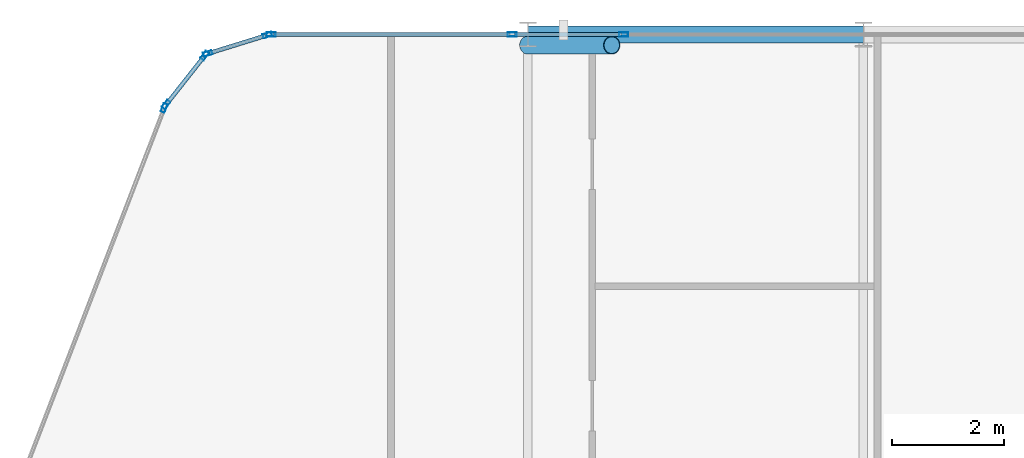
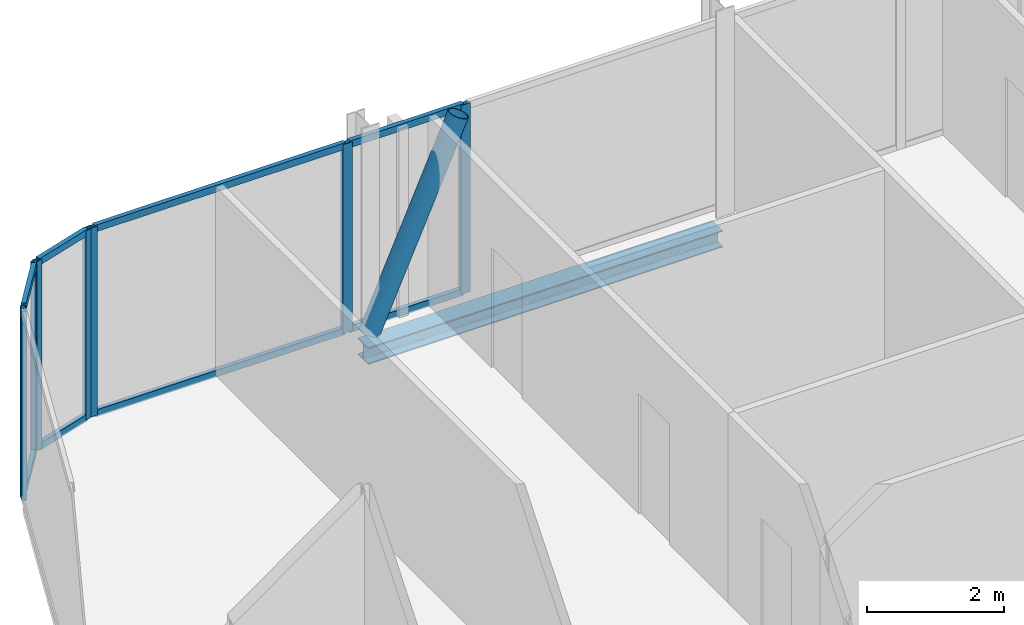
# One storey, part 18 of 29: 17 members, 1 beam, 5 elements without a shape of their own.
"""IFC4 building model written with IfcOpenShell, lengths in metres."""

from ifc_helpers import new_model, si_unit, direction, frame, origin, origin_2d, place, context, subcontext, project, spatial, hollow_rectangle, hollow_circle, i_section, extrude, material, layer, layer_set, material_profile, profile_set, type_object, element, aggregate, save


model = new_model("IFC4")

# Units and contexts
model_context = context("Model", 3, precision=1e-05, world=origin(), true_north=direction((0.0, 1.0)))
body_context = subcontext(model_context, "Body", "Model", "MODEL_VIEW")
ifc_project = project(units=[si_unit("LENGTHUNIT", "METRE"), si_unit("AREAUNIT", "SQUARE_METRE"), si_unit("VOLUMEUNIT", "CUBIC_METRE"), si_unit("PLANEANGLEUNIT", "RADIAN"), si_unit("MASSUNIT", "GRAM", prefix="KILO")], contexts=[model_context])

# Site, building, storey
site_placement = place(None, origin())
site = spatial("IfcSite", under=ifc_project, at=site_placement, CompositionType="ELEMENT")
building_placement = place(site_placement, origin())
building = spatial("IfcBuilding", under=site, at=building_placement, Name="Keshet Zoharim Tower", CompositionType="ELEMENT")
storey_placement = place(building_placement, frame((0.0, 0.0, 180.199951171875)))
storey = spatial("IfcBuildingStorey", under=building, at=storey_placement, Name="L44", CompositionType="ELEMENT", Elevation=180.199951171875)

# Beam
ifc_material_1 = material(Name="Steel S355", Category="steel")
ifc_material_profile_1 = material_profile(ifc_material_1, i_section(OverallWidth=0.300048828125, OverallDepth=0.300048828125, WebThickness=0.010986328125, FlangeThickness=0.01904296875, FilletRadius=0.027099609375, at=origin_2d()), Name="HEB300")
ifc_profile_set_1 = profile_set([ifc_material_profile_1], Name="Steel S355")
beam_type = type_object("IfcBeamType", Name="BM-PRI-HB300", PredefinedType="BEAM", material=ifc_profile_set_1)
beam_placement = place(storey_placement, frame((21.0, 53.89990234375, -0.4599609375), z_axis=(1.0, 0.0, 0.0), x_axis=(0.0, 1.0, 0.0)))
element("IfcBeam", 1, at=beam_placement, inside=storey, type_object=beam_type, Name="L44 Primary Girder X-019", PredefinedType="BEAM", context=body_context, shape_type="SweptSolid", body=[
    extrude(i_section(OverallWidth=0.300048828125, OverallDepth=0.300048828125, WebThickness=0.010986328125, FlangeThickness=0.01904296875, FilletRadius=0.027099609375, at=origin_2d()), origin(), (0.0, 0.0, 1.0), 6.0),
])

# Curtain wall, member
ifc_material_2 = material(Name="Aluminium 6063-T6", Category="aluminium")
ifc_layer = layer(ifc_material_2, 0.139892578125)
ifc_layer_set = layer_set([ifc_layer], Name="Aluminium 6063-T6")
curtain_wall_type = type_object("IfcCurtainWallType", Name="CW-SYS-05", PredefinedType="NOTDEFINED", material=ifc_layer_set)
curtain_wall_1_placement = place(storey_placement, origin())
curtain_wall_1 = element("IfcCurtainWall", 2, at=curtain_wall_1_placement, inside=storey, type_object=curtain_wall_type, Name="L44 Unitised Curtain Wall 13", PredefinedType="NOTDEFINED")
ifc_material_profile_2 = material_profile(ifc_material_2, hollow_rectangle(XDim=0.074951171875, YDim=0.159912109375, WallThickness=0.00390625, at=origin_2d()), Name="MUL-75x160")
ifc_profile_set_2 = profile_set([ifc_material_profile_2], Name="Aluminium 6063-T6")
member_type_1 = type_object("IfcMemberType", Name="CWM-M15", PredefinedType="MULLION", material=ifc_profile_set_2)
member_1_placement = place(storey_placement, frame((14.494384765625, 52.58544921875, 0.0), z_axis=(0.0, 0.0, 1.0), x_axis=(-0.933341404361, 0.358990003907, 0.0)))
member_1 = element("IfcMember", 3, at=member_1_placement, type_object=member_type_1, Name="CW-05 mullion 4", PredefinedType="MULLION", context=body_context, shape_type="SweptSolid", body=[
    extrude(hollow_rectangle(XDim=0.074951171875, YDim=0.159912109375, WallThickness=0.00390625, at=origin_2d()), origin(), (0.0, 0.0, 1.0), 3.380126953125),
])
aggregate(curtain_wall_1, [member_1])

# Curtain wall, members
curtain_wall_2_placement = place(storey_placement, origin())
curtain_wall_2 = element("IfcCurtainWall", 4, at=curtain_wall_2_placement, inside=storey, type_object=curtain_wall_type, Name="L44 Unitised Curtain Wall 14", PredefinedType="NOTDEFINED")
member_2_placement = place(storey_placement, frame((14.528564453125, 52.6455078125, 0.0), z_axis=(0.0, 0.0, 1.0), x_axis=(-0.785292825205, 0.619124525989, 0.0)))
member_2 = element("IfcMember", 5, at=member_2_placement, type_object=member_type_1, Name="CW-05 mullion 1", PredefinedType="MULLION", context=body_context, shape_type="SweptSolid", body=[
    extrude(hollow_rectangle(XDim=0.074951171875, YDim=0.159912109375, WallThickness=0.00390625, at=origin_2d()), origin(), (0.0, 0.0, 1.0), 3.380126953125),
])
member_3_placement = place(storey_placement, frame((15.21923828125, 53.521484375, 0.0), z_axis=(0.0, 0.0, 1.0), x_axis=(-0.785292825205, 0.619124525989, 0.0)))
member_3 = element("IfcMember", 6, at=member_3_placement, type_object=member_type_1, Name="CW-05 mullion 2", PredefinedType="MULLION", context=body_context, shape_type="SweptSolid", body=[
    extrude(hollow_rectangle(XDim=0.074951171875, YDim=0.159912109375, WallThickness=0.00390625, at=origin_2d()), origin(), (0.0, 0.0, 1.0), 3.380126953125),
])

curtain_wall_3_placement = place(storey_placement, origin())
curtain_wall_3 = element("IfcCurtainWall", 7, at=curtain_wall_3_placement, inside=storey, type_object=curtain_wall_type, Name="L44 Unitised Curtain Wall 15", PredefinedType="NOTDEFINED")
member_4_placement = place(storey_placement, frame((15.2744140625, 53.559326171875, 0.0), z_axis=(0.0, 0.0, 1.0), x_axis=(-0.295921857984, 0.955212151288, 0.0)))
member_4 = element("IfcMember", 8, at=member_4_placement, type_object=member_type_1, Name="CW-05 mullion 1", PredefinedType="MULLION", context=body_context, shape_type="SweptSolid", body=[
    extrude(hollow_rectangle(XDim=0.074951171875, YDim=0.159912109375, WallThickness=0.00390625, at=origin_2d()), origin(), (0.0, 0.0, 1.0), 3.380126953125),
])
member_5_placement = place(storey_placement, frame((16.340576171875, 53.8896484375, 0.0), z_axis=(0.0, 0.0, 1.0), x_axis=(-0.295921857984, 0.955212151288, 0.0)))
member_5 = element("IfcMember", 9, at=member_5_placement, type_object=member_type_1, Name="CW-05 mullion 2", PredefinedType="MULLION", context=body_context, shape_type="SweptSolid", body=[
    extrude(hollow_rectangle(XDim=0.074951171875, YDim=0.159912109375, WallThickness=0.00390625, at=origin_2d()), origin(), (0.0, 0.0, 1.0), 3.380126953125),
])

curtain_wall_4_placement = place(storey_placement, origin())
curtain_wall_4 = element("IfcCurtainWall", 10, at=curtain_wall_4_placement, inside=storey, type_object=curtain_wall_type, Name="L44 Unitised Curtain Wall 16", PredefinedType="NOTDEFINED")
member_6_placement = place(storey_placement, frame((16.408935546875, 53.89990234375, 0.0), z_axis=(0.0, 0.0, 1.0), x_axis=(0.0, 1.0, 0.0)))
member_6 = element("IfcMember", 11, at=member_6_placement, type_object=member_type_1, Name="CW-05 mullion 1", PredefinedType="MULLION", context=body_context, shape_type="SweptSolid", body=[
    extrude(hollow_rectangle(XDim=0.074951171875, YDim=0.159912109375, WallThickness=0.00390625, at=origin_2d()), origin(), (0.0, 0.0, 1.0), 3.380126953125),
])
member_7_placement = place(storey_placement, frame((20.717041015625, 53.89990234375, 0.0), z_axis=(0.0, 0.0, 1.0), x_axis=(0.0, 1.0, 0.0)))
member_7 = element("IfcMember", 12, at=member_7_placement, type_object=member_type_1, Name="CW-05 mullion 2", PredefinedType="MULLION", context=body_context, shape_type="SweptSolid", body=[
    extrude(hollow_rectangle(XDim=0.074951171875, YDim=0.159912109375, WallThickness=0.00390625, at=origin_2d()), origin(), (0.0, 0.0, 1.0), 3.380126953125),
])

# Curtain wall, member
curtain_wall_5_placement = place(storey_placement, origin())
curtain_wall_5 = element("IfcCurtainWall", 13, at=curtain_wall_5_placement, inside=storey, type_object=curtain_wall_type, Name="L44 Unitised Curtain Wall 16 Part 2", PredefinedType="NOTDEFINED")
member_8_placement = place(storey_placement, frame((22.712890625, 53.89990234375, 0.0), z_axis=(0.0, 0.0, 1.0), x_axis=(0.0, 1.0, 0.0)))
member_8 = element("IfcMember", 14, at=member_8_placement, type_object=member_type_1, Name="CW-05 mullion 2", PredefinedType="MULLION", context=body_context, shape_type="SweptSolid", body=[
    extrude(hollow_rectangle(XDim=0.074951171875, YDim=0.159912109375, WallThickness=0.00390625, at=origin_2d()), origin(), (0.0, 0.0, 1.0), 3.380126953125),
])

# Member
ifc_material_profile_3 = material_profile(ifc_material_2, hollow_rectangle(XDim=0.074951171875, YDim=0.1201171875, WallThickness=0.00390625, at=origin_2d()), Name="TRN-75x120")
ifc_profile_set_3 = profile_set([ifc_material_profile_3], Name="Aluminium 6063-T6")
member_type_2 = type_object("IfcMemberType", Name="CWT-T12", PredefinedType="USERDEFINED", material=ifc_profile_set_3)
member_9_placement = place(storey_placement, frame((14.55029296875, 52.6728515625, 0.03515625), z_axis=(0.619099165969, 0.78531281837, 0.0), x_axis=(-0.78531281837, 0.619099165969, 0.0)))
member_9 = element("IfcMember", 15, at=member_9_placement, type_object=member_type_2, Name="CW-05 transom 1.1", ObjectType="TRANSOM", PredefinedType="USERDEFINED", context=body_context, shape_type="SweptSolid", body=[
    extrude(hollow_rectangle(XDim=0.074951171875, YDim=0.1201171875, WallThickness=0.00390625, at=origin_2d()), origin(), (0.0, 0.0, 1.0), 1.0458984375),
])

member_10_placement = place(storey_placement, frame((14.55029296875, 52.6728515625, 3.344970703125), z_axis=(0.619099165969, 0.78531281837, 0.0), x_axis=(-0.78531281837, 0.619099165969, 0.0)))
member_10 = element("IfcMember", 16, at=member_10_placement, type_object=member_type_2, Name="CW-05 transom 1.2", ObjectType="TRANSOM", PredefinedType="USERDEFINED", context=body_context, shape_type="SweptSolid", body=[
    extrude(hollow_rectangle(XDim=0.074951171875, YDim=0.1201171875, WallThickness=0.00390625, at=origin_2d()), origin(), (0.0, 0.0, 1.0), 1.0458984375),
])

aggregate(curtain_wall_2, [member_2, member_3, member_9, member_10])

member_11_placement = place(storey_placement, frame((15.307861328125, 53.56982421875, 0.03515625), z_axis=(0.955212093062, 0.295922045933, 0.0), x_axis=(-0.295922045933, 0.955212093062, 0.0)))
member_11 = element("IfcMember", 17, at=member_11_placement, type_object=member_type_2, Name="CW-05 transom 1.1", ObjectType="TRANSOM", PredefinedType="USERDEFINED", context=body_context, shape_type="SweptSolid", body=[
    extrude(hollow_rectangle(XDim=0.074951171875, YDim=0.1201171875, WallThickness=0.00390625, at=origin_2d()), origin(), (0.0, 0.0, 1.0), 1.046142578125),
])

member_12_placement = place(storey_placement, frame((15.307861328125, 53.56982421875, 3.344970703125), z_axis=(0.955212093062, 0.295922045933, 0.0), x_axis=(-0.295922045933, 0.955212093062, 0.0)))
member_12 = element("IfcMember", 18, at=member_12_placement, type_object=member_type_2, Name="CW-05 transom 1.2", ObjectType="TRANSOM", PredefinedType="USERDEFINED", context=body_context, shape_type="SweptSolid", body=[
    extrude(hollow_rectangle(XDim=0.074951171875, YDim=0.1201171875, WallThickness=0.00390625, at=origin_2d()), origin(), (0.0, 0.0, 1.0), 1.046142578125),
])

aggregate(curtain_wall_3, [member_4, member_5, member_11, member_12])

member_13_placement = place(storey_placement, frame((16.444091796875, 53.89990234375, 0.03515625), z_axis=(1.0, 0.0, 0.0), x_axis=(0.0, 1.0, 0.0)))
member_13 = element("IfcMember", 19, at=member_13_placement, type_object=member_type_2, Name="CW-05 transom 1.1", ObjectType="TRANSOM", PredefinedType="USERDEFINED", context=body_context, shape_type="SweptSolid", body=[
    extrude(hollow_rectangle(XDim=0.074951171875, YDim=0.1201171875, WallThickness=0.00390625, at=origin_2d()), origin(), (0.0, 0.0, 1.0), 4.23779296875),
])

member_14_placement = place(storey_placement, frame((16.444091796875, 53.89990234375, 3.344970703125), z_axis=(1.0, 0.0, 0.0), x_axis=(0.0, 1.0, 0.0)))
member_14 = element("IfcMember", 20, at=member_14_placement, type_object=member_type_2, Name="CW-05 transom 1.2", ObjectType="TRANSOM", PredefinedType="USERDEFINED", context=body_context, shape_type="SweptSolid", body=[
    extrude(hollow_rectangle(XDim=0.074951171875, YDim=0.1201171875, WallThickness=0.00390625, at=origin_2d()), origin(), (0.0, 0.0, 1.0), 4.23779296875),
])

aggregate(curtain_wall_4, [member_6, member_7, member_13, member_14])

member_15_placement = place(storey_placement, frame((20.751953125, 53.89990234375, 0.03515625), z_axis=(1.0, 0.0, 0.0), x_axis=(0.0, 1.0, 0.0)))
member_15 = element("IfcMember", 21, at=member_15_placement, type_object=member_type_2, Name="CW-05 transom 1.1", ObjectType="TRANSOM", PredefinedType="USERDEFINED", context=body_context, shape_type="SweptSolid", body=[
    extrude(hollow_rectangle(XDim=0.074951171875, YDim=0.1201171875, WallThickness=0.00390625, at=origin_2d()), origin(), (0.0, 0.0, 1.0), 1.926025390625),
])

member_16_placement = place(storey_placement, frame((20.751953125, 53.89990234375, 3.344970703125), z_axis=(1.0, 0.0, 0.0), x_axis=(0.0, 1.0, 0.0)))
member_16 = element("IfcMember", 22, at=member_16_placement, type_object=member_type_2, Name="CW-05 transom 1.2", ObjectType="TRANSOM", PredefinedType="USERDEFINED", context=body_context, shape_type="SweptSolid", body=[
    extrude(hollow_rectangle(XDim=0.074951171875, YDim=0.1201171875, WallThickness=0.00390625, at=origin_2d()), origin(), (0.0, 0.0, 1.0), 1.926025390625),
])

aggregate(curtain_wall_5, [member_8, member_15, member_16])

ifc_material_profile_4 = material_profile(ifc_material_1, hollow_circle(Radius=0.161865234375, WallThickness=0.012451171875, at=origin_2d()), Name="CHS323x12.5")
ifc_profile_set_4 = profile_set([ifc_material_profile_4], Name="Steel S355")
member_type_3 = type_object("IfcMemberType", Name="MB-BR-C323", PredefinedType="BRACE", material=ifc_profile_set_4)
member_17_placement = place(storey_placement, frame((21.0, 53.7099609375, 0.0), z_axis=(0.405623857875, 0.0, 0.914040089888), x_axis=(0.0, 1.0, 0.0)))
element("IfcMember", 23, at=member_17_placement, inside=storey, type_object=member_type_3, Name="L44 Perimeter Tube Brace 02", PredefinedType="BRACE", context=body_context, shape_type="SweptSolid", body=[
    extrude(hollow_circle(Radius=0.161865234375, WallThickness=0.012451171875, at=origin_2d()), origin(), (0.0, 0.0, 1.0), 3.697998046875),
])

save(model, "model.ifc")
